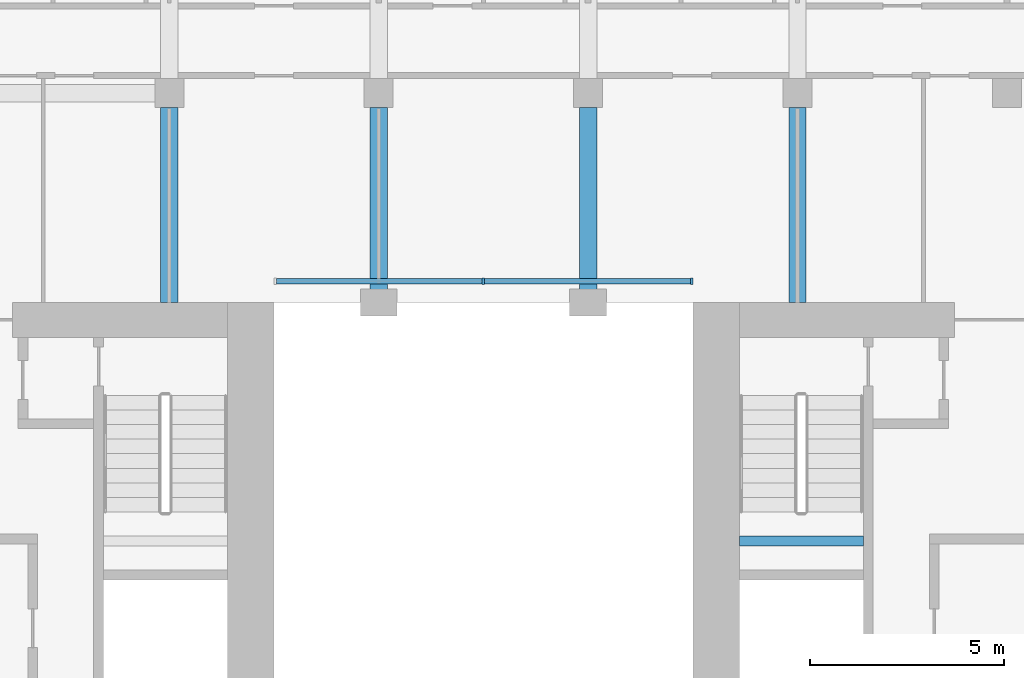
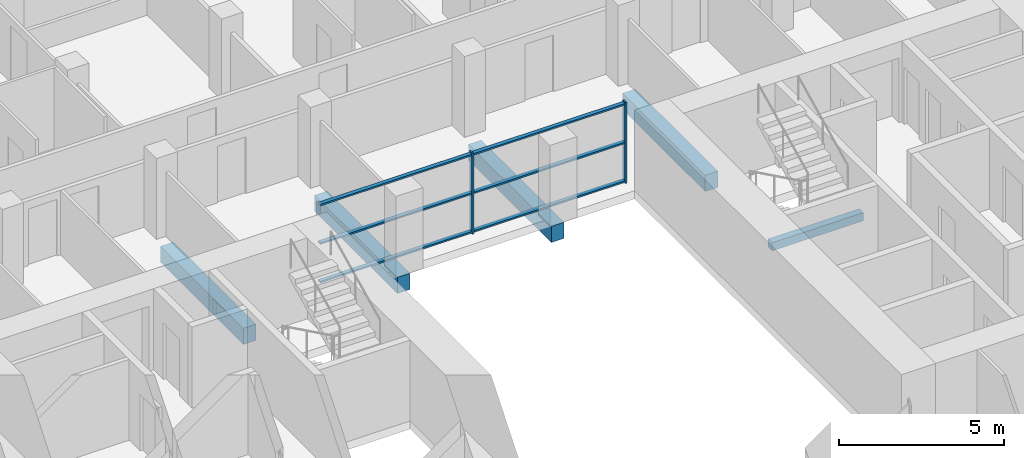
# One storey, part 4 of 13: 8 members, 5 beams, 1 element without a shape of its own.
"""IFC4 building model written with IfcOpenShell, lengths in metres."""

from ifc_helpers import new_model, si_unit, direction, frame, origin, origin_2d, place, context, subcontext, project, spatial, rectangle, extrude, material, material_profile, profile_set, type_object, element, aggregate, save


model = new_model("IFC4")

# Units and contexts
model_context = context("Model", 3, precision=1e-05, world=origin(), true_north=direction((0.0, 1.0)))
body_context = subcontext(model_context, "Body", "Model", "MODEL_VIEW")
ifc_project = project(units=[si_unit("LENGTHUNIT", "METRE"), si_unit("AREAUNIT", "SQUARE_METRE"), si_unit("VOLUMEUNIT", "CUBIC_METRE"), si_unit("PLANEANGLEUNIT", "RADIAN"), si_unit("MASSUNIT", "GRAM", prefix="KILO")], contexts=[model_context])

# Site, building, storey
site_placement = place(None, origin())
site = spatial("IfcSite", under=ifc_project, at=site_placement, CompositionType="ELEMENT")
building_placement = place(site_placement, origin())
building = spatial("IfcBuilding", under=site, at=building_placement, Name="Tabaq Tower and Sports Hall", CompositionType="ELEMENT")
storey_placement = place(building_placement, frame((0.0, 0.0, 210.39990234375)))
storey = spatial("IfcBuildingStorey", under=building, at=storey_placement, Name="L52", CompositionType="ELEMENT", Elevation=210.39990234375)

# Curtain wall, members
ifc_material_1 = material(Name="Aluminium alloy 6063-T6 framed glazing", Category="aluminium")
curtain_wall_type = type_object("IfcCurtainWallType", Name="CW1 curtain wall", PredefinedType="USERDEFINED", material=ifc_material_1)
curtain_wall_placement = place(storey_placement, origin())
curtain_wall = element("IfcCurtainWall", 1, at=curtain_wall_placement, inside=storey, type_object=curtain_wall_type, Name="Atrium glazing L52 N", ObjectType="ATRIUM ENCLOSURE", PredefinedType="USERDEFINED")
ifc_material_2 = material(Name="Aluminium alloy 6063-T6", Category="aluminium")
ifc_material_profile_1 = material_profile(ifc_material_2, rectangle(XDim=0.159912109375, YDim=0.06005859375, at=origin_2d()), Name="MULLION 160x60")
ifc_profile_set_1 = profile_set([ifc_material_profile_1], Name="Aluminium alloy 6063-T6")
member_type_1 = type_object("IfcMemberType", Name="CW1 mullion 160x60", PredefinedType="MULLION", material=ifc_profile_set_1)
member_1_placement = place(storey_placement, frame((24.300048828125, 32.949951171875, 0.0), z_axis=(0.0, 0.0, 1.0), x_axis=(0.0, 1.0, 0.0)))
member_1 = element("IfcMember", 2, at=member_1_placement, type_object=member_type_1, Name="CW1 mullion 2", PredefinedType="MULLION", context=body_context, shape_type="SweptSolid", body=[
    extrude(rectangle(XDim=0.159912109375, YDim=0.06005859375, at=origin_2d()), origin(), (0.0, 0.0, 1.0), 3.0),
])
member_2_placement = place(storey_placement, frame((29.669921875, 32.949951171875, 0.0), z_axis=(0.0, 0.0, 1.0), x_axis=(0.0, 1.0, 0.0)))
member_2 = element("IfcMember", 3, at=member_2_placement, type_object=member_type_1, Name="CW1 mullion 3", PredefinedType="MULLION", context=body_context, shape_type="SweptSolid", body=[
    extrude(rectangle(XDim=0.159912109375, YDim=0.06005859375, at=origin_2d()), origin(), (0.0, 0.0, 1.0), 3.0),
])
ifc_material_3 = material(Name="Aluminium alloy 6063-T6", Category="aluminium")
ifc_material_profile_2 = material_profile(ifc_material_3, rectangle(XDim=0.139892578125, YDim=0.06005859375, at=origin_2d()), Name="TRANSOM 140x60")
ifc_profile_set_2 = profile_set([ifc_material_profile_2], Name="Aluminium alloy 6063-T6")
member_type_2 = type_object("IfcMemberType", Name="CW1 transom 140x60", PredefinedType="USERDEFINED", material=ifc_profile_set_2)
member_3_placement = place(storey_placement, frame((18.9599609375, 32.949951171875, 0.070068359375), z_axis=(1.0, 0.0, 0.0), x_axis=(0.0, 1.0, 0.0)))
member_3 = element("IfcMember", 4, at=member_3_placement, type_object=member_type_2, Name="CW1 transom 1.1", ObjectType="TRANSOM", PredefinedType="USERDEFINED", context=body_context, shape_type="SweptSolid", body=[
    extrude(rectangle(XDim=0.139892578125, YDim=0.06005859375, at=origin_2d()), origin(), (0.0, 0.0, 1.0), 5.31005859375),
])
member_4_placement = place(storey_placement, frame((18.9599609375, 32.949951171875, 1.5), z_axis=(1.0, 0.0, 0.0), x_axis=(0.0, 1.0, 0.0)))
member_4 = element("IfcMember", 5, at=member_4_placement, type_object=member_type_2, Name="CW1 transom 1.2", ObjectType="TRANSOM", PredefinedType="USERDEFINED", context=body_context, shape_type="SweptSolid", body=[
    extrude(rectangle(XDim=0.139892578125, YDim=0.06005859375, at=origin_2d()), origin(), (0.0, 0.0, 1.0), 5.31005859375),
])
member_5_placement = place(storey_placement, frame((18.9599609375, 32.949951171875, 2.93017578125), z_axis=(1.0, 0.0, 0.0), x_axis=(0.0, 1.0, 0.0)))
member_5 = element("IfcMember", 6, at=member_5_placement, type_object=member_type_2, Name="CW1 transom 1.3", ObjectType="TRANSOM", PredefinedType="USERDEFINED", context=body_context, shape_type="SweptSolid", body=[
    extrude(rectangle(XDim=0.139892578125, YDim=0.06005859375, at=origin_2d()), origin(), (0.0, 0.0, 1.0), 5.31005859375),
])
member_6_placement = place(storey_placement, frame((24.330078125, 32.949951171875, 0.070068359375), z_axis=(1.0, 0.0, 0.0), x_axis=(0.0, 1.0, 0.0)))
member_6 = element("IfcMember", 7, at=member_6_placement, type_object=member_type_2, Name="CW1 transom 2.1", ObjectType="TRANSOM", PredefinedType="USERDEFINED", context=body_context, shape_type="SweptSolid", body=[
    extrude(rectangle(XDim=0.139892578125, YDim=0.06005859375, at=origin_2d()), origin(), (0.0, 0.0, 1.0), 5.309814453125),
])
member_7_placement = place(storey_placement, frame((24.330078125, 32.949951171875, 1.5), z_axis=(1.0, 0.0, 0.0), x_axis=(0.0, 1.0, 0.0)))
member_7 = element("IfcMember", 8, at=member_7_placement, type_object=member_type_2, Name="CW1 transom 2.2", ObjectType="TRANSOM", PredefinedType="USERDEFINED", context=body_context, shape_type="SweptSolid", body=[
    extrude(rectangle(XDim=0.139892578125, YDim=0.06005859375, at=origin_2d()), origin(), (0.0, 0.0, 1.0), 5.309814453125),
])
member_8_placement = place(storey_placement, frame((24.330078125, 32.949951171875, 2.93017578125), z_axis=(1.0, 0.0, 0.0), x_axis=(0.0, 1.0, 0.0)))
member_8 = element("IfcMember", 9, at=member_8_placement, type_object=member_type_2, Name="CW1 transom 2.3", ObjectType="TRANSOM", PredefinedType="USERDEFINED", context=body_context, shape_type="SweptSolid", body=[
    extrude(rectangle(XDim=0.139892578125, YDim=0.06005859375, at=origin_2d()), origin(), (0.0, 0.0, 1.0), 5.309814453125),
])
aggregate(curtain_wall, [member_1, member_2, member_3, member_4, member_5, member_6, member_7, member_8])

# Beams
ifc_material_4 = material(Name="Concrete C40/50", Category="concrete")
ifc_material_profile_3 = material_profile(ifc_material_4, rectangle(XDim=0.449951171875, YDim=0.60009765625, at=origin_2d()), Name="CB 450x600")
ifc_profile_set_3 = profile_set([ifc_material_profile_3], Name="Concrete C40/50")
beam_type_1 = type_object("IfcBeamType", Name="PT CANTILEVER BEAM CB 450x600 C40/50", PredefinedType="BEAM", material=ifc_profile_set_3)
for number, where, z_axis, x_axis, name in (
    (10, (16.199951171875, 37.425048828125, -0.599853515625), (0.0, -1.0, 0.0), (1.0, 0.0, 0.0), "Cantilever Beam L52 N3 span 3"),
    (11, (21.60009765625, 37.425048828125, -0.599853515625), (0.0, -1.0, 0.0), (1.0, 0.0, 0.0), "Cantilever Beam L52 N4 span 3"),
    (12, (27.0, 37.425048828125, -0.599853515625), (0.0, -1.0, 0.0), (1.0, 0.0, 0.0), "Cantilever Beam L52 N5 span 3"),
    (13, (32.39990234375, 37.425048828125, -0.599853515625), (0.0, -1.0, 0.0), (1.0, 0.0, 0.0), "Cantilever Beam L52 N6 span 3"),
):
    element("IfcBeam", number, at=place(storey_placement, frame(where, z_axis=z_axis, x_axis=x_axis)), inside=storey, type_object=beam_type_1, Name=name, PredefinedType="BEAM", context=body_context, shape_type="SweptSolid", body=[
        extrude(rectangle(XDim=0.449951171875, YDim=0.60009765625, at=origin_2d()), origin(), (0.0, 0.0, 1.0), 5.025146484375),
    ])
ifc_material_5 = material(Name="Concrete C40/50", Category="concrete")
ifc_material_profile_4 = material_profile(ifc_material_5, rectangle(XDim=0.25, YDim=0.300048828125, at=origin_2d()), Name="RC 250x300")
ifc_profile_set_4 = profile_set([ifc_material_profile_4], Name="Concrete C40/50")
beam_type_2 = type_object("IfcBeamType", Name="Stair landing beam 250x300", PredefinedType="BEAM", material=ifc_profile_set_4)
beam_placement = place(storey_placement, frame((30.89990234375, 26.25, 1.300048828125), z_axis=(1.0, 0.0, 0.0), x_axis=(0.0, 1.0, 0.0)))
element("IfcBeam", 14, at=beam_placement, inside=storey, type_object=beam_type_2, Name="L52 ST4 landing beam 1", PredefinedType="BEAM", context=body_context, shape_type="SweptSolid", body=[
    extrude(rectangle(XDim=0.25, YDim=0.300048828125, at=origin_2d()), origin(), (0.0, 0.0, 1.0), 3.2001953125),
])

save(model, "model.ifc")
